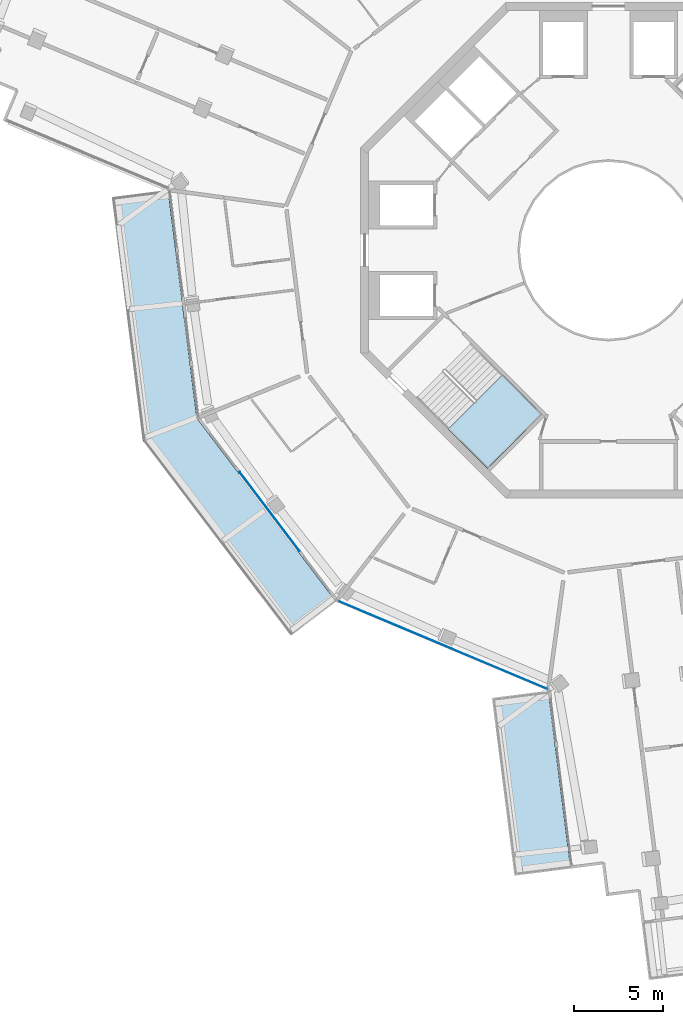
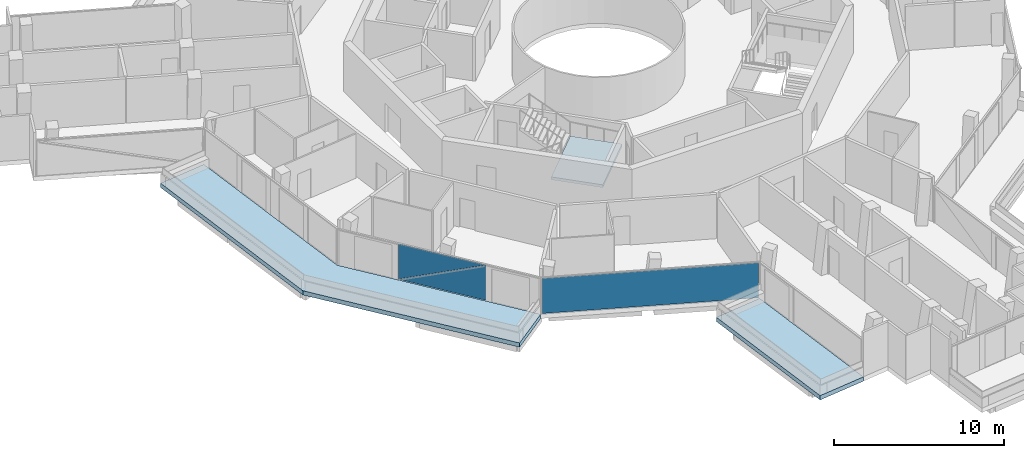
# One storey, part 12 of 26: 3 plates, 3 slabs, 3 elements without a shape of their own.
"""IFC4 building model written with IfcOpenShell, lengths in metres."""

import ifcopenshell
import ifcopenshell.guid

model = None  # the IFC model being written
_history = None  # IfcOwnerHistory: only IFC2X3 demands one
_inside = {}  # id of a spatial element -> (the spatial element, [elements in it])
_under = {}  # id of a project, library or spatial element -> (it, [spatial elements below it])
_declared = {}  # id of a project -> (the project, [libraries it declares])
_typed = {}  # id of a type object -> (the type object, [elements of that type])
_made_of = {}  # id of a material, layer set ... -> (it, [elements and type objects made of it])


def new_model(schema):
    """Start an empty IFC model of exactly this schema.

    Asked for "IFC4X3", IfcOpenShell would pick the latest addendum, in which some entities
    have other attributes; the version numbers below select the first issue.
    IFC2X3 requires an IfcOwnerHistory on every rooted entity: one is made here for all.
    """
    global model, _history
    if schema == "IFC4X3":
        model = ifcopenshell.file(schema_version=(4, 3, 0, 0))
    else:
        model = ifcopenshell.file(schema=schema)
    _inside.clear()
    _under.clear()
    _declared.clear()
    _typed.clear()
    _made_of.clear()
    _history = None
    if model.schema == "IFC2X3":
        org = make("IfcOrganization", Name="unknown")
        user = make(
            "IfcPersonAndOrganization",
            ThePerson=make("IfcPerson", FamilyName="unknown"),
            TheOrganization=org,
        )
        app = make(
            "IfcApplication",
            ApplicationDeveloper=org,
            Version="unknown",
            ApplicationFullName="unknown",
            ApplicationIdentifier="unknown",
        )
        _history = make(
            "IfcOwnerHistory",
            OwningUser=user,
            OwningApplication=app,
            ChangeAction="ADDED",
            CreationDate=0,
        )
    return model


def make(cls, **values):
    """One entity of the class cls with the attributes given. An attribute that is None is left unset."""
    return model.create_entity(
        cls, **{name: value for name, value in values.items() if value is not None}
    )


def rooted(cls, **values):
    """An entity with a GlobalId (a new one), such as an element, a storey or a relation."""
    return make(cls, GlobalId=ifcopenshell.guid.new(), OwnerHistory=_history, **values)


def si_unit(unit_type, name, prefix=None):
    """IfcSIUnit, for example si_unit("LENGTHUNIT", "METRE", prefix="MILLI")."""
    return make("IfcSIUnit", UnitType=unit_type, Prefix=prefix, Name=name)


def assignment(units):
    """IfcUnitAssignment: the units of a project."""
    return None if units is None else make("IfcUnitAssignment", Units=units)


def point(xyz):
    """IfcCartesianPoint."""
    return None if xyz is None else make("IfcCartesianPoint", Coordinates=xyz)


def direction(xyz):
    """IfcDirection."""
    return None if xyz is None else make("IfcDirection", DirectionRatios=xyz)


def frame(location, z_axis=None, x_axis=None):
    """IfcAxis2Placement3D, a coordinate frame: its origin and axes. An axis left out is left unset."""
    return make(
        "IfcAxis2Placement3D",
        Location=point(location),
        Axis=direction(z_axis),
        RefDirection=direction(x_axis),
    )


def frame_2d(location, x_axis=None):
    """IfcAxis2Placement2D, a coordinate frame in the plane: its origin and x axis."""
    return make(
        "IfcAxis2Placement2D", Location=point(location), RefDirection=direction(x_axis)
    )


def origin():
    """The frame at (0, 0, 0) with its axes left unset."""
    return frame((0.0, 0.0, 0.0))


def origin_2d():
    """The frame at (0, 0) in the plane with its x axis left unset."""
    return frame_2d((0.0, 0.0))


def place(relative_to, where):
    """IfcLocalPlacement: puts the frame where relative to a parent placement (None: the world)."""
    return make(
        "IfcLocalPlacement", PlacementRelTo=relative_to, RelativePlacement=where
    )


def context(
    kind, dimensions, precision=None, world=None, true_north=None, identifier=None
):
    """IfcGeometricRepresentationContext, for example the 3D "Model" context."""
    return make(
        "IfcGeometricRepresentationContext",
        ContextIdentifier=identifier,
        ContextType=kind,
        CoordinateSpaceDimension=dimensions,
        Precision=precision,
        WorldCoordinateSystem=world,
        TrueNorth=true_north,
    )


def subcontext(parent, identifier, kind, view, scale=None):
    """IfcGeometricRepresentationSubContext, for example "Body" below "Model"."""
    return make(
        "IfcGeometricRepresentationSubContext",
        ContextIdentifier=identifier,
        ContextType=kind,
        ParentContext=parent,
        TargetScale=scale,
        TargetView=view,
    )


def project(units=None, contexts=None):
    """IfcProject with its units and contexts."""
    return rooted(
        "IfcProject",
        Name="project",
        RepresentationContexts=contexts,
        UnitsInContext=assignment(units),
    )


def spatial(cls, under=None, at=None, **own):
    """A site, building, storey or space (cls), placed at a placement, below another one or the project."""
    s = rooted(cls, ObjectPlacement=at, **own)
    if under is not None:
        _under.setdefault(under.id(), (under, []))[1].append(s)
    return s


def polyline(points):
    """IfcPolyline through the points."""
    return make("IfcPolyline", Points=[point(p) for p in points])


def profile(cls, at=None, kind="AREA", **sizes):
    """A parametric profile (cls). Its sizes go by their IFC names, for example OverallWidth=200.0."""
    return make(cls, ProfileType=kind, Position=at, **sizes)


def rectangle(**sizes):
    """IfcRectangleProfileDef."""
    return profile("IfcRectangleProfileDef", **sizes)


def outline(outer, holes=None, kind="AREA"):
    """IfcArbitraryClosedProfileDef: a profile drawn as a closed curve; with holes, ...WithVoids."""
    if holes is None:
        return make("IfcArbitraryClosedProfileDef", ProfileType=kind, OuterCurve=outer)
    return make(
        "IfcArbitraryProfileDefWithVoids",
        ProfileType=kind,
        OuterCurve=outer,
        InnerCurves=holes,
    )


def extrude(swept, where, along, depth):
    """IfcExtrudedAreaSolid: the profile swept, set in the frame where, extruded along a direction by depth."""
    return make(
        "IfcExtrudedAreaSolid",
        SweptArea=swept,
        Position=where,
        ExtrudedDirection=direction(along),
        Depth=depth,
    )


def shape(context_of_items, identifier, shape_type, items):
    """IfcShapeRepresentation: the items that make up one representation, for example the "Body"."""
    return make(
        "IfcShapeRepresentation",
        ContextOfItems=context_of_items,
        RepresentationIdentifier=identifier,
        RepresentationType=shape_type,
        Items=items,
    )


def material(Name=None, Category=None):
    """IfcMaterial."""
    return make("IfcMaterial", Name=Name, Category=Category)


def layer(
    of_material, thickness, ventilated=None, Name=None, Category=None, Priority=None
):
    """IfcMaterialLayer: one layer of a wall or slab, of a material (None: an air gap)."""
    return make(
        "IfcMaterialLayer",
        Material=of_material,
        LayerThickness=thickness,
        IsVentilated=ventilated,
        Name=Name,
        Category=Category,
        Priority=Priority,
    )


def layer_set(layers, Name=None):
    """IfcMaterialLayerSet."""
    return make("IfcMaterialLayerSet", MaterialLayers=layers, LayerSetName=Name)


def made_of(thing, what):
    """Note that an element or type object is made of a material, layer set ...; save() writes the relation."""
    if what is not None:
        _made_of.setdefault(what.id(), (what, []))[1].append(thing)
    return thing


def type_object(cls, material=None, **own):
    """A type object (cls), such as IfcWallType, which elements share."""
    return made_of(rooted(cls, **own), material)


def element(
    cls,
    number,
    at=None,
    inside=None,
    cuts=None,
    type_object=None,
    material=None,
    context=None,
    identifier="Body",
    shape_type=None,
    held_by="IfcProductDefinitionShape",
    body=None,
    shapes=None,
    **own,
):
    """One element of the class cls, such as IfcWall. Its Tag is "e" and its number.

    at: its placement. inside: the storey or other place that contains it. cuts: it is an
    opening in that element (IfcRelVoidsElement). A single representation is given by context,
    identifier, shape_type and body (its items); several are given by shapes. held_by: the class
    of the entity that holds the representations. save() writes the other relations.
    """
    e = rooted(cls, Tag="e%d" % number, ObjectPlacement=at, **own)
    if body is not None:
        shapes = [shape(context, identifier, shape_type, body)]
    if shapes is not None:
        e.Representation = make(held_by, Representations=shapes)
    if inside is not None:
        _inside.setdefault(inside.id(), (inside, []))[1].append(e)
    if cuts is not None:
        rooted(
            "IfcRelVoidsElement", RelatingBuildingElement=cuts, RelatedOpeningElement=e
        )
    if type_object is not None:
        _typed.setdefault(type_object.id(), (type_object, []))[1].append(e)
    return made_of(e, material)


def aggregate(whole, parts):
    """IfcRelAggregates: a whole, such as a stair, and the parts it consists of."""
    return rooted("IfcRelAggregates", RelatingObject=whole, RelatedObjects=parts)


def save(model, path):
    """Write the relations noted so far, then the file.

    IfcRelAggregates (storeys below a building ...), IfcRelContainedInSpatialStructure (elements
    in a storey), IfcRelDefinesByType, IfcRelAssociatesMaterial and IfcRelDeclares: one each for
    every whole, place, type object, material and project.
    """
    for whole, parts in _under.values():
        aggregate(whole, parts)
    for where, things in _inside.values():
        rooted(
            "IfcRelContainedInSpatialStructure",
            RelatedElements=things,
            RelatingStructure=where,
        )
    for kind, things in _typed.values():
        rooted("IfcRelDefinesByType", RelatedObjects=things, RelatingType=kind)
    for what, things in _made_of.values():
        rooted("IfcRelAssociatesMaterial", RelatedObjects=things, RelatingMaterial=what)
    for by, libraries in _declared.values():
        rooted("IfcRelDeclares", RelatingContext=by, RelatedDefinitions=libraries)
    model.write(path)


model = new_model("IFC4")

# Units and contexts
model_context = context("Model", 3, precision=1e-05, world=origin(), true_north=direction((0.0, 1.0)))
body_context = subcontext(model_context, "Body", "Model", "MODEL_VIEW")
ifc_project = project(units=[si_unit("LENGTHUNIT", "METRE"), si_unit("AREAUNIT", "SQUARE_METRE"), si_unit("VOLUMEUNIT", "CUBIC_METRE"), si_unit("PLANEANGLEUNIT", "RADIAN"), si_unit("MASSUNIT", "GRAM", prefix="KILO")], contexts=[model_context])

# Site, building, storey
site_placement = place(None, origin())
site = spatial("IfcSite", under=ifc_project, at=site_placement, CompositionType="ELEMENT")
building_placement = place(site_placement, origin())
building = spatial("IfcBuilding", under=site, at=building_placement, Name="Verdalira Terraces Hotel", CompositionType="ELEMENT")
storey_placement = place(building_placement, frame((0.0, 0.0, 306.5)))
storey = spatial("IfcBuildingStorey", under=building, at=storey_placement, Name="L76", CompositionType="ELEMENT", Elevation=306.5)

# Slabs
ifc_material_1 = material(Name="Precast concrete C40/50", Category="concrete")
ifc_layer_1 = layer(ifc_material_1, 0.31005859375)
ifc_layer_set_1 = layer_set([ifc_layer_1], Name="Balcony deck 310")
slab_type_1 = type_object("IfcSlabType", Name="Balcony deck 310", PredefinedType="FLOOR", material=ifc_layer_set_1)
slab_1_placement = place(storey_placement, frame((0.0, 0.0, -0.310059)))
element("IfcSlab", 1, at=slab_1_placement, inside=storey, type_object=slab_type_1, Name="Balcony deck", PredefinedType="FLOOR", context=body_context, shape_type="SweptSolid", body=[
    extrude(outline(polyline([(-26.31958, -10.740967), (-17.941406, -21.778809), (-15.392578, -19.843994), (-23.252441, -9.489014), (-24.881592, 3.408447), (-28.056396, 3.007324), (-26.31958, -10.740967)])), origin(), (0.0, 0.0, 1.0), 0.310059),
])
slab_2_placement = place(storey_placement, frame((0.0, 0.0, -0.310059)))
element("IfcSlab", 2, at=slab_2_placement, inside=storey, type_object=slab_type_1, Name="Balcony deck", PredefinedType="FLOOR", context=body_context, shape_type="SweptSolid", body=[
    extrude(outline(polyline([(-5.315186, -35.320557), (-2.140381, -34.919434), (-3.408447, -24.881592), (-6.583252, -25.282715), (-5.315186, -35.320557)])), origin(), (0.0, 0.0, 1.0), 0.310059),
])

# Curtain wall, plates
ifc_material_2 = material(Name="Clear glass", Category="glass")
ifc_layer_2 = layer(ifc_material_2, 0.14990234375)
ifc_layer_set_2 = layer_set([ifc_layer_2], Name="CW1 curtain wall")
curtain_wall_type = type_object("IfcCurtainWallType", Name="CW1 curtain wall", PredefinedType="NOTDEFINED", material=ifc_layer_set_2)
curtain_wall_1_placement = place(storey_placement, origin())
curtain_wall_1 = element("IfcCurtainWall", 3, at=curtain_wall_1_placement, inside=storey, type_object=curtain_wall_type, Name="CW1 curtain wall L76 edge 12", PredefinedType="NOTDEFINED")
ifc_material_3 = material(Name="Clear glass", Category="glass")
ifc_layer_3 = layer(ifc_material_3, 0.028076171875)
ifc_layer_set_3 = layer_set([ifc_layer_3], Name="CW1 glass unit 28")
plate_type = type_object("IfcPlateType", Name="CW1 glass unit 28", PredefinedType="CURTAIN_PANEL", material=ifc_layer_set_3)
plate_1_placement = place(storey_placement, frame((-19.142822, -14.756104, 1.262451), z_axis=(-0.796529918, -0.604599115, 0.0), x_axis=(0.604599115, -0.796529918, 0.0)))
plate_1 = element("IfcPlate", 4, at=plate_1_placement, type_object=plate_type, Name="CW1 glass unit", PredefinedType="CURTAIN_PANEL", context=body_context, shape_type="SweptSolid", body=[
    extrude(outline(polyline([(-2.792969, -1.262451), (2.792969, -1.262451), (2.792969, 1.262451), (-2.792969, -1.262451)])), origin(), (0.0, 0.0, 1.0), 0.028076),
])
plate_2_placement = place(storey_placement, frame((-19.119629, -14.738525, 1.262451), z_axis=(-0.796529918, -0.604599115, 0.0), x_axis=(0.604599115, -0.796529918, 0.0)))
plate_2 = element("IfcPlate", 5, at=plate_2_placement, type_object=plate_type, Name="CW1 glass unit", PredefinedType="CURTAIN_PANEL", context=body_context, shape_type="SweptSolid", body=[
    extrude(outline(polyline([(-2.792969, -1.262451), (2.792969, 1.262451), (-2.792969, 1.262451), (-2.792969, -1.262451)])), origin(), (0.0, 0.0, 1.0), 0.028076),
])
aggregate(curtain_wall_1, [plate_1, plate_2])

# Curtain wall, plate
curtain_wall_2_placement = place(storey_placement, origin())
curtain_wall_2 = element("IfcCurtainWall", 6, at=curtain_wall_2_placement, inside=storey, type_object=curtain_wall_type, Name="CW1 curtain wall L76 edge 13", PredefinedType="NOTDEFINED")
plate_3_placement = place(storey_placement, frame((-9.352783, -22.301514, 0.0), z_axis=(0.0, 0.0, 1.0), x_axis=(0.921863152, -0.387515586, 0.0)))
plate_3 = element("IfcPlate", 7, at=plate_3_placement, type_object=plate_type, Name="CW1 glass unit", PredefinedType="CURTAIN_PANEL", context=body_context, shape_type="SweptSolid", body=[
    extrude(rectangle(XDim=12.839844, YDim=0.028076, at=origin_2d()), origin(), (0.0, 0.0, 1.0), 2.524902),
])
aggregate(curtain_wall_2, [plate_3])

# Stair, slab
ifc_material_4 = material(Name="Concrete C40", Category="concrete")
stair_type = type_object("IfcStairType", Name="Core stair 20 risers 2125 mm wide", PredefinedType="HALF_TURN_STAIR", material=ifc_material_4)
stair_placement = place(storey_placement, origin())
stair = element("IfcStair", 8, at=stair_placement, inside=storey, type_object=stair_type, Name="L76 Exit stair ST2", PredefinedType="HALF_TURN_STAIR")
ifc_material_5 = material(Name="Concrete C40", Category="concrete")
ifc_layer_4 = layer(ifc_material_5, 0.199951171875)
ifc_layer_set_4 = layer_set([ifc_layer_4], Name="Core stair landing 200 mm")
slab_type_2 = type_object("IfcSlabType", Name="Core stair landing 200 mm", PredefinedType="LANDING", material=ifc_layer_set_4)
slab_3_placement = place(storey_placement, frame((0.0, 0.0, 1.550049)))
slab_3 = element("IfcSlab", 9, at=slab_3_placement, type_object=slab_type_2, Name="ST2 landing 1", PredefinedType="LANDING", context=body_context, shape_type="SweptSolid", body=[
    extrude(outline(polyline([(-9.054932, -10.107666), (-6.823486, -12.339111), (-3.747559, -9.263184), (-5.979004, -7.031738), (-9.054932, -10.107666)])), origin(), (0.0, 0.0, 1.0), 0.199951),
])
aggregate(stair, [slab_3])

save(model, "model.ifc")
